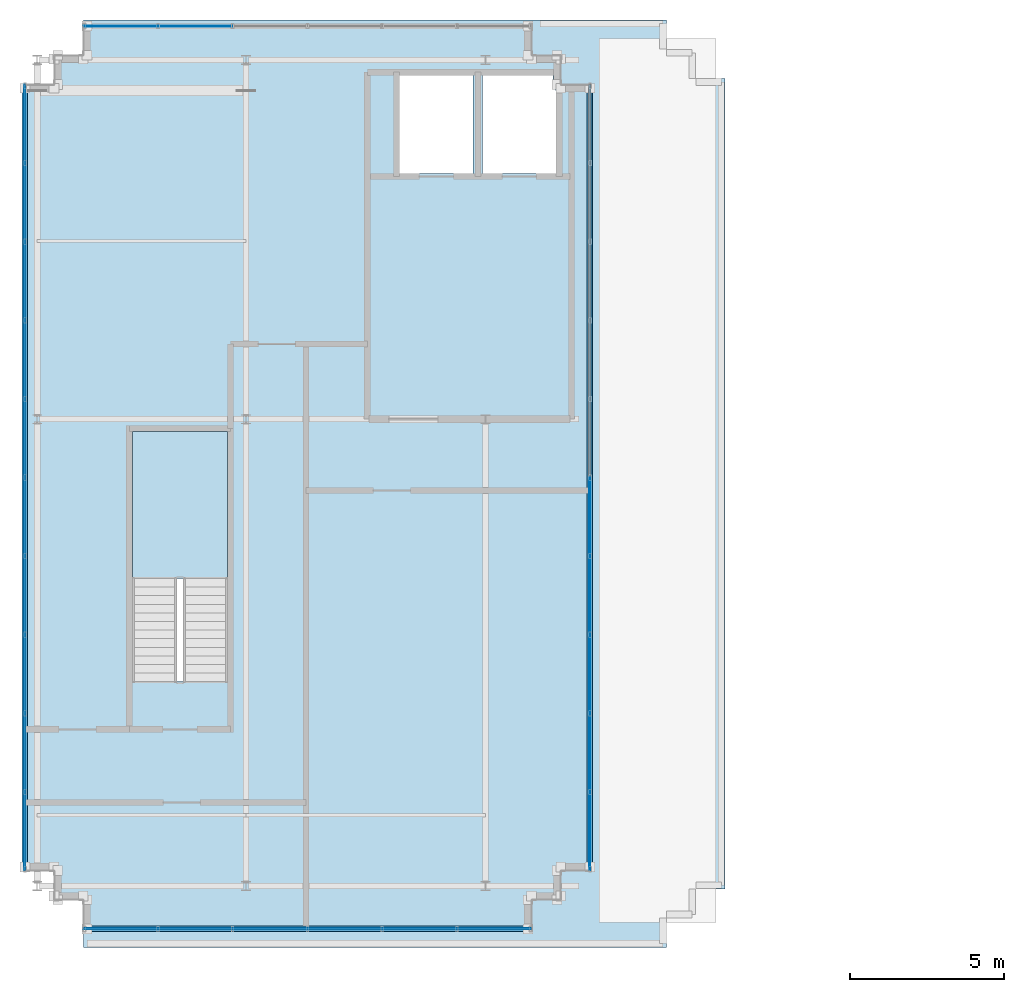
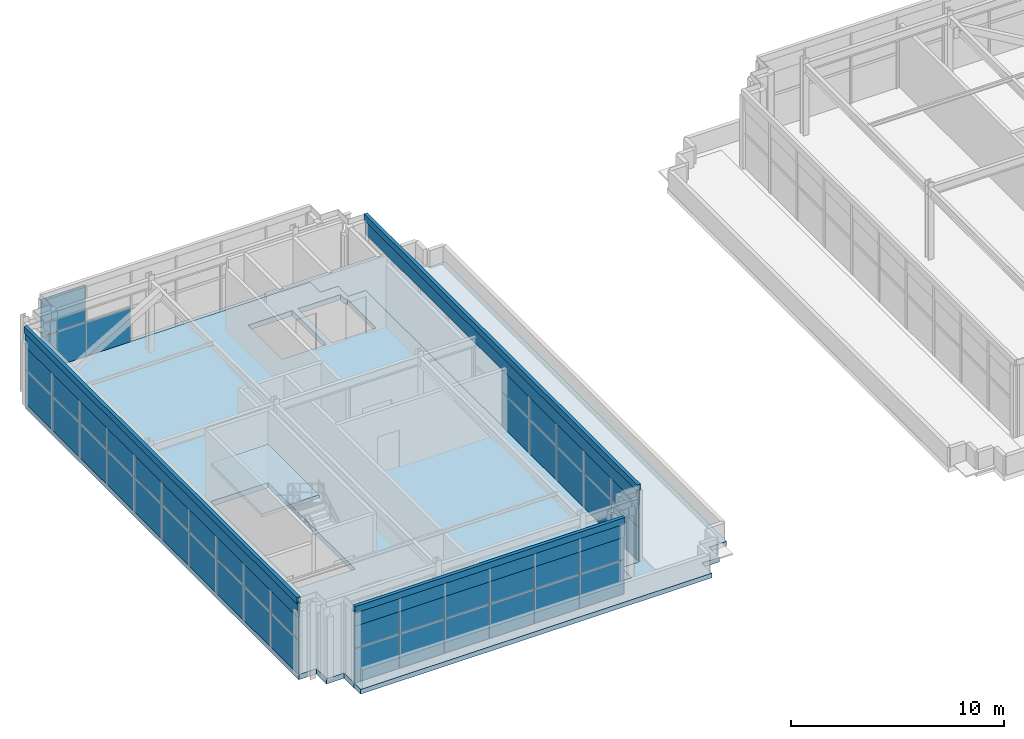
# One storey, part 20 of 28: 51 plates, 3 slabs, 5 elements without a shape of their own.
"""IFC4 building model written with IfcOpenShell, lengths in metres."""

from ifc_helpers import new_model, si_unit, direction, frame, origin, origin_2d, place, context, subcontext, project, spatial, polyline, rectangle, outline, extrude, source, transform, mapped, material, layer, layer_set, type_object, element, aggregate, save


model = new_model("IFC4")

# Units and contexts
model_context = context("Model", 3, precision=1e-05, world=origin(), true_north=direction((0.0, 1.0)))
body_context = subcontext(model_context, "Body", "Model", "MODEL_VIEW")
ifc_project = project(units=[si_unit("LENGTHUNIT", "METRE"), si_unit("AREAUNIT", "SQUARE_METRE"), si_unit("VOLUMEUNIT", "CUBIC_METRE"), si_unit("PLANEANGLEUNIT", "RADIAN"), si_unit("MASSUNIT", "GRAM", prefix="KILO")], contexts=[model_context])

# Site, building, storey
site_placement = place(None, origin())
site = spatial("IfcSite", under=ifc_project, at=site_placement, CompositionType="ELEMENT")
building_placement = place(site_placement, origin())
building = spatial("IfcBuilding", under=site, at=building_placement, Name="Trelvane Seafront Commons", CompositionType="ELEMENT")
storey_placement = place(building_placement, frame((0.0, 0.0, 312.300048828125)))
storey = spatial("IfcBuildingStorey", under=building, at=storey_placement, Name="L81", CompositionType="ELEMENT", Elevation=312.300048828125)

# Stair, slab
ifc_material_1 = material(Name="Concrete C40/50", Category="concrete")
stair_type = type_object("IfcStairType", Name="ARCH-STR-ST-5-R26-169", PredefinedType="HALF_TURN_STAIR", material=ifc_material_1)
stair_placement = place(storey_placement, origin())
stair = element("IfcStair", 1, at=stair_placement, inside=storey, type_object=stair_type, Name="L81 Crown West Peak Enclosed Maintenance Exit Stair ST-5", PredefinedType="HALF_TURN_STAIR")
ifc_layer_1 = layer(ifc_material_1, 0.199951171875, Name="ARCH-LND-200")
ifc_layer_set_1 = layer_set([ifc_layer_1], Name="Concrete C40/50")
slab_type_1 = type_object("IfcSlabType", Name="ARCH-LND-200", PredefinedType="LANDING", material=ifc_layer_set_1)
slab_1_placement = place(storey_placement, frame((0.0, 0.0, 2.0)))
slab_1 = element("IfcSlab", 2, at=slab_1_placement, type_object=slab_type_1, Name="ST-5 landing 1", PredefinedType="LANDING", context=body_context, shape_type="SweptSolid", body=[
    extrude(outline(polyline([(15.0, 28.2099609375), (15.0, 33.0), (11.89990234375, 33.0), (11.89990234375, 28.2099609375), (15.0, 28.2099609375)])), origin(), (0.0, 0.0, 1.0), 0.199951171875),
])
aggregate(stair, [slab_1])

# Slabs
ifc_layer_2 = layer(ifc_material_1, 0.27001953125, Name="STR-ROOF-270")
ifc_layer_set_2 = layer_set([ifc_layer_2], Name="Concrete C40/50")
slab_type_2 = type_object("IfcSlabType", Name="STR-ROOF-270", PredefinedType="ROOF", material=ifc_layer_set_2)
slab_2_placement = place(storey_placement, frame((0.0, 0.0, -0.27001953125)))
element("IfcSlab", 3, at=slab_2_placement, inside=storey, type_object=slab_type_2, Name="L81 Crown Setback Step Roof Slab", PredefinedType="ROOF", context=body_context, shape_type="SweptSolid", body=[
    extrude(outline(polyline([(10.300048828125, 46.199951171875), (24.89990234375, 46.199951171875), (24.89990234375, 45.25), (25.85009765625, 45.25), (25.85009765625, 44.300048828125), (26.800048828125, 44.300048828125), (26.800048828125, 18.699951171875), (25.85009765625, 18.699951171875), (25.85009765625, 17.75), (24.89990234375, 17.75), (24.89990234375, 16.800048828125), (10.300048828125, 16.800048828125), (10.300048828125, 16.199951171875), (29.300048828125, 16.199951171875), (29.300048828125, 17.14990234375), (30.25, 17.14990234375), (30.25, 18.10009765625), (31.199951171875, 18.10009765625), (31.199951171875, 44.5), (30.25, 44.5), (30.25, 45.449951171875), (29.300048828125, 45.449951171875), (29.300048828125, 46.39990234375), (10.300048828125, 46.39990234375), (10.300048828125, 46.199951171875)])), origin(), (0.0, 0.0, 1.0), 0.27001953125),
])
ifc_material_2 = material(Name="Concrete C50/60", Category="concrete")
ifc_layer_3 = layer(ifc_material_2, 0.2900390625, Name="STR-SLB-CRN290")
ifc_layer_set_3 = layer_set([ifc_layer_3], Name="Concrete C50/60")
slab_type_3 = type_object("IfcSlabType", Name="STR-SLB-CRN290", PredefinedType="FLOOR", material=ifc_layer_set_3)
slab_3_placement = place(storey_placement, frame((0.0, 0.0, -0.300048828125)))
element("IfcSlab", 4, at=slab_3_placement, inside=storey, type_object=slab_type_3, Name="L81 West Crown Peak Floor Slab", PredefinedType="FLOOR", context=body_context, shape_type="SweptSolid", body=[
    extrude(outline(polyline([(10.300048828125, 16.800048828125), (24.89990234375, 16.800048828125), (24.89990234375, 17.75), (25.85009765625, 17.75), (25.85009765625, 18.699951171875), (26.800048828125, 18.699951171875), (26.800048828125, 44.300048828125), (25.85009765625, 44.300048828125), (25.85009765625, 45.25), (24.89990234375, 45.25), (24.89990234375, 46.199951171875), (10.300048828125, 46.199951171875), (10.300048828125, 45.25), (9.35009765625, 45.25), (9.35009765625, 44.300048828125), (8.39990234375, 44.300048828125), (8.39990234375, 18.699951171875), (9.35009765625, 18.699951171875), (9.35009765625, 17.75), (10.300048828125, 17.75), (10.300048828125, 16.800048828125)]), holes=[polyline([(15.0, 33.0), (15.0, 24.85009765625), (11.89990234375, 24.85009765625), (11.89990234375, 33.0), (15.0, 33.0)]), polyline([(23.0, 44.60009765625), (23.0, 41.39990234375), (20.60009765625, 41.39990234375), (20.60009765625, 44.60009765625), (23.0, 44.60009765625)]), polyline([(25.60009765625, 44.60009765625), (25.60009765625, 44.300048828125), (25.601318359375, 44.275390625), (25.604736328125, 44.251220703125), (25.61083984375, 44.227294921875), (25.618896484375, 44.204345703125), (25.62939453125, 44.18212890625), (25.64208984375, 44.1611328125), (25.65673828125, 44.141357421875), (25.673095703125, 44.123291015625), (25.69140625, 44.106689453125), (25.699951171875, 44.100341796875), (25.699951171875, 41.39990234375), (23.300048828125, 41.39990234375), (23.300048828125, 44.60009765625), (25.60009765625, 44.60009765625)])]), origin(), (0.0, 0.0, 1.0), 0.300048828125),
])

# Curtain wall, plates
ifc_material_3 = material(Name="Anodised pale-silver aluminium", Category="aluminium")
curtain_wall_type = type_object("IfcCurtainWallType", Name="ARCH-CW6-CROWN", PredefinedType="NOTDEFINED", material=ifc_material_3)
curtain_wall_1_placement = place(storey_placement, origin())
curtain_wall_1 = element("IfcCurtainWall", 5, at=curtain_wall_1_placement, inside=storey, type_object=curtain_wall_type, Name="CW-L81-0144", PredefinedType="NOTDEFINED")
ifc_material_4 = material(Name="Low-E coastal double glazing", Category="glass")
ifc_layer_4 = layer(ifc_material_4, 0.033935546875, Name="ARCH-CW-GLAZ-34")
ifc_layer_set_4 = layer_set([ifc_layer_4], Name="Low-E coastal double glazing")
plate_type_1 = type_object("IfcPlateType", Name="ARCH-CW-GLAZ-34", PredefinedType="CURTAIN_PANEL", material=ifc_layer_set_4)
shared_shape_1 = source(origin(), body_context, "Body", "SweptSolid", [
    extrude(rectangle(XDim=2.535888671875, YDim=0.031982421875, at=origin_2d()), origin(), (0.0, 0.0, 1.0), 1.955078125),
])
plate_1_placement = place(storey_placement, frame((8.39990234375, 19.97998046875, 0.0), z_axis=(0.0, 0.0, 1.0), x_axis=(0.0, 1.0, 0.0)))
plate_1 = element("IfcPlate", 6, at=plate_1_placement, type_object=plate_type_1, Name="CW-L81-0144-P00-1", PredefinedType="CURTAIN_PANEL", context=body_context, shape_type="MappedRepresentation", body=[
    mapped(shared_shape_1, transform((0.0, 0.0, 0.0), x_axis=(1.0, 0.0, 0.0), y_axis=(0.0, 1.0, 0.0), z_axis=(0.0, 0.0, 1.0), scale=1.0)),
])
plate_2_placement = place(storey_placement, frame((8.39990234375, 22.5400390625, 0.0), z_axis=(0.0, 0.0, 1.0), x_axis=(0.0, 1.0, 0.0)))
plate_2 = element("IfcPlate", 7, at=plate_2_placement, type_object=plate_type_1, Name="CW-L81-0144-P01-1", PredefinedType="CURTAIN_PANEL", context=body_context, shape_type="MappedRepresentation", body=[
    mapped(shared_shape_1, transform((0.0, 0.0, 0.0), x_axis=(1.0, 0.0, 0.0), y_axis=(0.0, 1.0, 0.0), z_axis=(0.0, 0.0, 1.0), scale=1.0)),
])
plate_3_placement = place(storey_placement, frame((8.39990234375, 25.10009765625, 0.0), z_axis=(0.0, 0.0, 1.0), x_axis=(0.0, 1.0, 0.0)))
plate_3 = element("IfcPlate", 8, at=plate_3_placement, type_object=plate_type_1, Name="CW-L81-0144-P02-1", PredefinedType="CURTAIN_PANEL", context=body_context, shape_type="MappedRepresentation", body=[
    mapped(shared_shape_1, transform((0.0, 0.0, 0.0), x_axis=(1.0, 0.0, 0.0), y_axis=(0.0, 1.0, 0.0), z_axis=(0.0, 0.0, 1.0), scale=1.0)),
])
plate_4_placement = place(storey_placement, frame((8.39990234375, 27.659912109375, 0.0), z_axis=(0.0, 0.0, 1.0), x_axis=(0.0, 1.0, 0.0)))
plate_4 = element("IfcPlate", 9, at=plate_4_placement, type_object=plate_type_1, Name="CW-L81-0144-P03-1", PredefinedType="CURTAIN_PANEL", context=body_context, shape_type="MappedRepresentation", body=[
    mapped(shared_shape_1, transform((0.0, 0.0, 0.0), x_axis=(1.0, 0.0, 0.0), y_axis=(0.0, 1.0, 0.0), z_axis=(0.0, 0.0, 1.0), scale=1.0)),
])
plate_5_placement = place(storey_placement, frame((8.39990234375, 30.219970703125, 0.0), z_axis=(0.0, 0.0, 1.0), x_axis=(0.0, 1.0, 0.0)))
plate_5 = element("IfcPlate", 10, at=plate_5_placement, type_object=plate_type_1, Name="CW-L81-0144-P04-1", PredefinedType="CURTAIN_PANEL", context=body_context, shape_type="MappedRepresentation", body=[
    mapped(shared_shape_1, transform((0.0, 0.0, 0.0), x_axis=(1.0, 0.0, 0.0), y_axis=(0.0, 1.0, 0.0), z_axis=(0.0, 0.0, 1.0), scale=1.0)),
])
plate_6_placement = place(storey_placement, frame((8.39990234375, 32.780029296875, 0.0), z_axis=(0.0, 0.0, 1.0), x_axis=(0.0, 1.0, 0.0)))
plate_6 = element("IfcPlate", 11, at=plate_6_placement, type_object=plate_type_1, Name="CW-L81-0144-P05-1", PredefinedType="CURTAIN_PANEL", context=body_context, shape_type="MappedRepresentation", body=[
    mapped(shared_shape_1, transform((0.0, 0.0, 0.0), x_axis=(1.0, 0.0, 0.0), y_axis=(0.0, 1.0, 0.0), z_axis=(0.0, 0.0, 1.0), scale=1.0)),
])
plate_7_placement = place(storey_placement, frame((8.39990234375, 35.340087890625, 0.0), z_axis=(0.0, 0.0, 1.0), x_axis=(0.0, 1.0, 0.0)))
plate_7 = element("IfcPlate", 12, at=plate_7_placement, type_object=plate_type_1, Name="CW-L81-0144-P06-1", PredefinedType="CURTAIN_PANEL", context=body_context, shape_type="MappedRepresentation", body=[
    mapped(shared_shape_1, transform((0.0, 0.0, 0.0), x_axis=(1.0, 0.0, 0.0), y_axis=(0.0, 1.0, 0.0), z_axis=(0.0, 0.0, 1.0), scale=1.0)),
])
plate_8_placement = place(storey_placement, frame((8.39990234375, 37.89990234375, 0.0), z_axis=(0.0, 0.0, 1.0), x_axis=(0.0, 1.0, 0.0)))
plate_8 = element("IfcPlate", 13, at=plate_8_placement, type_object=plate_type_1, Name="CW-L81-0144-P07-1", PredefinedType="CURTAIN_PANEL", context=body_context, shape_type="MappedRepresentation", body=[
    mapped(shared_shape_1, transform((0.0, 0.0, 0.0), x_axis=(1.0, 0.0, 0.0), y_axis=(0.0, 1.0, 0.0), z_axis=(0.0, 0.0, 1.0), scale=1.0)),
])
plate_9_placement = place(storey_placement, frame((8.39990234375, 40.4599609375, 0.0), z_axis=(0.0, 0.0, 1.0), x_axis=(0.0, 1.0, 0.0)))
plate_9 = element("IfcPlate", 14, at=plate_9_placement, type_object=plate_type_1, Name="CW-L81-0144-P08-1", PredefinedType="CURTAIN_PANEL", context=body_context, shape_type="MappedRepresentation", body=[
    mapped(shared_shape_1, transform((0.0, 0.0, 0.0), x_axis=(1.0, 0.0, 0.0), y_axis=(0.0, 1.0, 0.0), z_axis=(0.0, 0.0, 1.0), scale=1.0)),
])
plate_10_placement = place(storey_placement, frame((8.39990234375, 43.02001953125, 0.0), z_axis=(0.0, 0.0, 1.0), x_axis=(0.0, 1.0, 0.0)))
plate_10 = element("IfcPlate", 15, at=plate_10_placement, type_object=plate_type_1, Name="CW-L81-0144-P09-1", PredefinedType="CURTAIN_PANEL", context=body_context, shape_type="MappedRepresentation", body=[
    mapped(shared_shape_1, transform((0.0, 0.0, 0.0), x_axis=(1.0, 0.0, 0.0), y_axis=(0.0, 1.0, 0.0), z_axis=(0.0, 0.0, 1.0), scale=1.0)),
])

curtain_wall_2_placement = place(storey_placement, origin())
curtain_wall_2 = element("IfcCurtainWall", 16, at=curtain_wall_2_placement, inside=storey, type_object=curtain_wall_type, Name="CW-L81-0146", PredefinedType="NOTDEFINED")
plate_11_placement = place(storey_placement, frame((26.800048828125, 30.219970703125, 0.0), z_axis=(0.0, 0.0, 1.0), x_axis=(0.0, -1.0, 0.0)))
plate_11 = element("IfcPlate", 17, at=plate_11_placement, type_object=plate_type_1, Name="CW-L81-0146-P05-1", PredefinedType="CURTAIN_PANEL", context=body_context, shape_type="MappedRepresentation", body=[
    mapped(shared_shape_1, transform((0.0, 0.0, 0.0), x_axis=(1.0, 0.0, 0.0), y_axis=(0.0, 1.0, 0.0), z_axis=(0.0, 0.0, 1.0), scale=1.0)),
])
plate_12_placement = place(storey_placement, frame((26.800048828125, 27.659912109375, 0.0), z_axis=(0.0, 0.0, 1.0), x_axis=(0.0, -1.0, 0.0)))
plate_12 = element("IfcPlate", 18, at=plate_12_placement, type_object=plate_type_1, Name="CW-L81-0146-P06-1", PredefinedType="CURTAIN_PANEL", context=body_context, shape_type="MappedRepresentation", body=[
    mapped(shared_shape_1, transform((0.0, 0.0, 0.0), x_axis=(1.0, 0.0, 0.0), y_axis=(0.0, 1.0, 0.0), z_axis=(0.0, 0.0, 1.0), scale=1.0)),
])
plate_13_placement = place(storey_placement, frame((26.800048828125, 25.10009765625, 0.0), z_axis=(0.0, 0.0, 1.0), x_axis=(0.0, -1.0, 0.0)))
plate_13 = element("IfcPlate", 19, at=plate_13_placement, type_object=plate_type_1, Name="CW-L81-0146-P07-1", PredefinedType="CURTAIN_PANEL", context=body_context, shape_type="MappedRepresentation", body=[
    mapped(shared_shape_1, transform((0.0, 0.0, 0.0), x_axis=(1.0, 0.0, 0.0), y_axis=(0.0, 1.0, 0.0), z_axis=(0.0, 0.0, 1.0), scale=1.0)),
])
plate_14_placement = place(storey_placement, frame((26.800048828125, 22.5400390625, 0.0), z_axis=(0.0, 0.0, 1.0), x_axis=(0.0, -1.0, 0.0)))
plate_14 = element("IfcPlate", 20, at=plate_14_placement, type_object=plate_type_1, Name="CW-L81-0146-P08-1", PredefinedType="CURTAIN_PANEL", context=body_context, shape_type="MappedRepresentation", body=[
    mapped(shared_shape_1, transform((0.0, 0.0, 0.0), x_axis=(1.0, 0.0, 0.0), y_axis=(0.0, 1.0, 0.0), z_axis=(0.0, 0.0, 1.0), scale=1.0)),
])
plate_15_placement = place(storey_placement, frame((26.800048828125, 19.97998046875, 0.0), z_axis=(0.0, 0.0, 1.0), x_axis=(0.0, -1.0, 0.0)))
plate_15 = element("IfcPlate", 21, at=plate_15_placement, type_object=plate_type_1, Name="CW-L81-0146-P09-1", PredefinedType="CURTAIN_PANEL", context=body_context, shape_type="MappedRepresentation", body=[
    mapped(shared_shape_1, transform((0.0, 0.0, 0.0), x_axis=(1.0, 0.0, 0.0), y_axis=(0.0, 1.0, 0.0), z_axis=(0.0, 0.0, 1.0), scale=1.0)),
])

# Plate
shared_shape_2 = source(origin(), body_context, "Body", "SweptSolid", [
    extrude(rectangle(XDim=2.535888671875, YDim=0.031982421875, at=origin_2d()), origin(), (0.0, 0.0, 1.0), 2.118896484375),
])
plate_16_placement = place(storey_placement, frame((8.39990234375, 19.97998046875, 1.9912109375), z_axis=(0.0, 0.0, 1.0), x_axis=(0.0, 1.0, 0.0)))
plate_16 = element("IfcPlate", 22, at=plate_16_placement, type_object=plate_type_1, Name="CW-L81-0144-P00-2", PredefinedType="CURTAIN_PANEL", context=body_context, shape_type="MappedRepresentation", body=[
    mapped(shared_shape_2, transform((0.0, 0.0, 0.0), x_axis=(1.0, 0.0, 0.0), y_axis=(0.0, 1.0, 0.0), z_axis=(0.0, 0.0, 1.0), scale=1.0)),
])

plate_17_placement = place(storey_placement, frame((8.39990234375, 22.5400390625, 1.9912109375), z_axis=(0.0, 0.0, 1.0), x_axis=(0.0, 1.0, 0.0)))
plate_17 = element("IfcPlate", 23, at=plate_17_placement, type_object=plate_type_1, Name="CW-L81-0144-P01-2", PredefinedType="CURTAIN_PANEL", context=body_context, shape_type="MappedRepresentation", body=[
    mapped(shared_shape_2, transform((0.0, 0.0, 0.0), x_axis=(1.0, 0.0, 0.0), y_axis=(0.0, 1.0, 0.0), z_axis=(0.0, 0.0, 1.0), scale=1.0)),
])

plate_18_placement = place(storey_placement, frame((8.39990234375, 25.10009765625, 1.9912109375), z_axis=(0.0, 0.0, 1.0), x_axis=(0.0, 1.0, 0.0)))
plate_18 = element("IfcPlate", 24, at=plate_18_placement, type_object=plate_type_1, Name="CW-L81-0144-P02-2", PredefinedType="CURTAIN_PANEL", context=body_context, shape_type="MappedRepresentation", body=[
    mapped(shared_shape_2, transform((0.0, 0.0, 0.0), x_axis=(1.0, 0.0, 0.0), y_axis=(0.0, 1.0, 0.0), z_axis=(0.0, 0.0, 1.0), scale=1.0)),
])

plate_19_placement = place(storey_placement, frame((8.39990234375, 27.659912109375, 1.9912109375), z_axis=(0.0, 0.0, 1.0), x_axis=(0.0, 1.0, 0.0)))
plate_19 = element("IfcPlate", 25, at=plate_19_placement, type_object=plate_type_1, Name="CW-L81-0144-P03-2", PredefinedType="CURTAIN_PANEL", context=body_context, shape_type="MappedRepresentation", body=[
    mapped(shared_shape_2, transform((0.0, 0.0, 0.0), x_axis=(1.0, 0.0, 0.0), y_axis=(0.0, 1.0, 0.0), z_axis=(0.0, 0.0, 1.0), scale=1.0)),
])

plate_20_placement = place(storey_placement, frame((8.39990234375, 30.219970703125, 1.9912109375), z_axis=(0.0, 0.0, 1.0), x_axis=(0.0, 1.0, 0.0)))
plate_20 = element("IfcPlate", 26, at=plate_20_placement, type_object=plate_type_1, Name="CW-L81-0144-P04-2", PredefinedType="CURTAIN_PANEL", context=body_context, shape_type="MappedRepresentation", body=[
    mapped(shared_shape_2, transform((0.0, 0.0, 0.0), x_axis=(1.0, 0.0, 0.0), y_axis=(0.0, 1.0, 0.0), z_axis=(0.0, 0.0, 1.0), scale=1.0)),
])

plate_21_placement = place(storey_placement, frame((8.39990234375, 32.780029296875, 1.9912109375), z_axis=(0.0, 0.0, 1.0), x_axis=(0.0, 1.0, 0.0)))
plate_21 = element("IfcPlate", 27, at=plate_21_placement, type_object=plate_type_1, Name="CW-L81-0144-P05-2", PredefinedType="CURTAIN_PANEL", context=body_context, shape_type="MappedRepresentation", body=[
    mapped(shared_shape_2, transform((0.0, 0.0, 0.0), x_axis=(1.0, 0.0, 0.0), y_axis=(0.0, 1.0, 0.0), z_axis=(0.0, 0.0, 1.0), scale=1.0)),
])

plate_22_placement = place(storey_placement, frame((8.39990234375, 35.340087890625, 1.9912109375), z_axis=(0.0, 0.0, 1.0), x_axis=(0.0, 1.0, 0.0)))
plate_22 = element("IfcPlate", 28, at=plate_22_placement, type_object=plate_type_1, Name="CW-L81-0144-P06-2", PredefinedType="CURTAIN_PANEL", context=body_context, shape_type="MappedRepresentation", body=[
    mapped(shared_shape_2, transform((0.0, 0.0, 0.0), x_axis=(1.0, 0.0, 0.0), y_axis=(0.0, 1.0, 0.0), z_axis=(0.0, 0.0, 1.0), scale=1.0)),
])

plate_23_placement = place(storey_placement, frame((8.39990234375, 37.89990234375, 1.9912109375), z_axis=(0.0, 0.0, 1.0), x_axis=(0.0, 1.0, 0.0)))
plate_23 = element("IfcPlate", 29, at=plate_23_placement, type_object=plate_type_1, Name="CW-L81-0144-P07-2", PredefinedType="CURTAIN_PANEL", context=body_context, shape_type="MappedRepresentation", body=[
    mapped(shared_shape_2, transform((0.0, 0.0, 0.0), x_axis=(1.0, 0.0, 0.0), y_axis=(0.0, 1.0, 0.0), z_axis=(0.0, 0.0, 1.0), scale=1.0)),
])

plate_24_placement = place(storey_placement, frame((8.39990234375, 40.4599609375, 1.9912109375), z_axis=(0.0, 0.0, 1.0), x_axis=(0.0, 1.0, 0.0)))
plate_24 = element("IfcPlate", 30, at=plate_24_placement, type_object=plate_type_1, Name="CW-L81-0144-P08-2", PredefinedType="CURTAIN_PANEL", context=body_context, shape_type="MappedRepresentation", body=[
    mapped(shared_shape_2, transform((0.0, 0.0, 0.0), x_axis=(1.0, 0.0, 0.0), y_axis=(0.0, 1.0, 0.0), z_axis=(0.0, 0.0, 1.0), scale=1.0)),
])

plate_25_placement = place(storey_placement, frame((8.39990234375, 43.02001953125, 1.9912109375), z_axis=(0.0, 0.0, 1.0), x_axis=(0.0, 1.0, 0.0)))
plate_25 = element("IfcPlate", 31, at=plate_25_placement, type_object=plate_type_1, Name="CW-L81-0144-P09-2", PredefinedType="CURTAIN_PANEL", context=body_context, shape_type="MappedRepresentation", body=[
    mapped(shared_shape_2, transform((0.0, 0.0, 0.0), x_axis=(1.0, 0.0, 0.0), y_axis=(0.0, 1.0, 0.0), z_axis=(0.0, 0.0, 1.0), scale=1.0)),
])

aggregate(curtain_wall_1, [plate_1, plate_16, plate_2, plate_17, plate_3, plate_18, plate_4, plate_19, plate_5, plate_20, plate_6, plate_21, plate_7, plate_22, plate_8, plate_23, plate_9, plate_24, plate_10, plate_25])

plate_26_placement = place(storey_placement, frame((26.800048828125, 30.219970703125, 1.9912109375), z_axis=(0.0, 0.0, 1.0), x_axis=(0.0, -1.0, 0.0)))
plate_26 = element("IfcPlate", 32, at=plate_26_placement, type_object=plate_type_1, Name="CW-L81-0146-P05-2", PredefinedType="CURTAIN_PANEL", context=body_context, shape_type="MappedRepresentation", body=[
    mapped(shared_shape_2, transform((0.0, 0.0, 0.0), x_axis=(1.0, 0.0, 0.0), y_axis=(0.0, 1.0, 0.0), z_axis=(0.0, 0.0, 1.0), scale=1.0)),
])

plate_27_placement = place(storey_placement, frame((26.800048828125, 27.659912109375, 1.9912109375), z_axis=(0.0, 0.0, 1.0), x_axis=(0.0, -1.0, 0.0)))
plate_27 = element("IfcPlate", 33, at=plate_27_placement, type_object=plate_type_1, Name="CW-L81-0146-P06-2", PredefinedType="CURTAIN_PANEL", context=body_context, shape_type="MappedRepresentation", body=[
    mapped(shared_shape_2, transform((0.0, 0.0, 0.0), x_axis=(1.0, 0.0, 0.0), y_axis=(0.0, 1.0, 0.0), z_axis=(0.0, 0.0, 1.0), scale=1.0)),
])

plate_28_placement = place(storey_placement, frame((26.800048828125, 25.10009765625, 1.9912109375), z_axis=(0.0, 0.0, 1.0), x_axis=(0.0, -1.0, 0.0)))
plate_28 = element("IfcPlate", 34, at=plate_28_placement, type_object=plate_type_1, Name="CW-L81-0146-P07-2", PredefinedType="CURTAIN_PANEL", context=body_context, shape_type="MappedRepresentation", body=[
    mapped(shared_shape_2, transform((0.0, 0.0, 0.0), x_axis=(1.0, 0.0, 0.0), y_axis=(0.0, 1.0, 0.0), z_axis=(0.0, 0.0, 1.0), scale=1.0)),
])

plate_29_placement = place(storey_placement, frame((26.800048828125, 22.5400390625, 1.9912109375), z_axis=(0.0, 0.0, 1.0), x_axis=(0.0, -1.0, 0.0)))
plate_29 = element("IfcPlate", 35, at=plate_29_placement, type_object=plate_type_1, Name="CW-L81-0146-P08-2", PredefinedType="CURTAIN_PANEL", context=body_context, shape_type="MappedRepresentation", body=[
    mapped(shared_shape_2, transform((0.0, 0.0, 0.0), x_axis=(1.0, 0.0, 0.0), y_axis=(0.0, 1.0, 0.0), z_axis=(0.0, 0.0, 1.0), scale=1.0)),
])

plate_30_placement = place(storey_placement, frame((26.800048828125, 19.97998046875, 1.9912109375), z_axis=(0.0, 0.0, 1.0), x_axis=(0.0, -1.0, 0.0)))
plate_30 = element("IfcPlate", 36, at=plate_30_placement, type_object=plate_type_1, Name="CW-L81-0146-P09-2", PredefinedType="CURTAIN_PANEL", context=body_context, shape_type="MappedRepresentation", body=[
    mapped(shared_shape_2, transform((0.0, 0.0, 0.0), x_axis=(1.0, 0.0, 0.0), y_axis=(0.0, 1.0, 0.0), z_axis=(0.0, 0.0, 1.0), scale=1.0)),
])

aggregate(curtain_wall_2, [plate_11, plate_26, plate_12, plate_27, plate_13, plate_28, plate_14, plate_29, plate_15, plate_30])

# Plates
ifc_layer_5 = layer(ifc_material_3, 0.080078125, Name="ARCH-PLATE-LOUVRE")
ifc_layer_set_5 = layer_set([ifc_layer_5], Name="Anodised pale-silver aluminium")
plate_type_2 = type_object("IfcPlateType", Name="ARCH-PLATE-LOUVRE", PredefinedType="USERDEFINED", material=ifc_layer_set_5)
shared_shape_3 = source(origin(), body_context, "Body", "SweptSolid", [
    extrude(rectangle(XDim=25.60009765625, YDim=0.080078125, at=origin_2d()), origin(), (0.0, 0.0, 1.0), 0.889892578125),
])
for number, where, z_axis, x_axis, name in (
    (37, (8.39990234375, 31.5, 3.259765625), (0.0, 0.0, 1.0), (0.0, 1.0, 0.0), "LOU-L81-033"),
    (38, (26.800048828125, 31.5, 3.259765625), (0.0, 0.0, 1.0), (0.0, -1.0, 0.0), "LOU-L81-035"),
):
    element("IfcPlate", number, at=place(storey_placement, frame(where, z_axis=z_axis, x_axis=x_axis)), inside=storey, type_object=plate_type_2, Name=name, ObjectType="LOUVRE", PredefinedType="USERDEFINED", context=body_context, shape_type="MappedRepresentation", body=[
        mapped(shared_shape_3, transform((0.0, 0.0, 0.0), x_axis=(1.0, 0.0, 0.0), y_axis=(0.0, 1.0, 0.0), z_axis=(0.0, 0.0, 1.0), scale=1.0)),
    ])
ifc_layer_6 = layer(ifc_material_3, 0.179931640625, Name="ARCH-PLATE-AERO")
ifc_layer_set_6 = layer_set([ifc_layer_6], Name="Anodised pale-silver aluminium")
plate_type_3 = type_object("IfcPlateType", Name="ARCH-PLATE-AERO", PredefinedType="SHEET", material=ifc_layer_set_6)
shared_shape_4 = source(origin(), body_context, "Body", "SweptSolid", [
    extrude(rectangle(XDim=25.60009765625, YDim=0.179931640625, at=origin_2d()), origin(), (0.0, 0.0, 1.0), 0.3701171875),
])
for number, where, z_axis, x_axis, name in (
    (39, (8.39990234375, 31.5, 4.0498046875), (0.0, 0.0, 1.0), (0.0, 1.0, 0.0), "AER-L81-00290"),
    (40, (26.800048828125, 31.5, 4.0498046875), (0.0, 0.0, 1.0), (0.0, -1.0, 0.0), "AER-L81-00292"),
):
    element("IfcPlate", number, at=place(storey_placement, frame(where, z_axis=z_axis, x_axis=x_axis)), inside=storey, type_object=plate_type_3, Name=name, PredefinedType="SHEET", context=body_context, shape_type="MappedRepresentation", body=[
        mapped(shared_shape_4, transform((0.0, 0.0, 0.0), x_axis=(1.0, 0.0, 0.0), y_axis=(0.0, 1.0, 0.0), z_axis=(0.0, 0.0, 1.0), scale=1.0)),
    ])

# Curtain wall, plate
curtain_wall_3_placement = place(storey_placement, origin())
curtain_wall_3 = element("IfcCurtainWall", 41, at=curtain_wall_3_placement, inside=storey, type_object=curtain_wall_type, Name="CW-L81-0145", PredefinedType="NOTDEFINED")
shared_shape_5 = source(origin(), body_context, "Body", "SweptSolid", [
    extrude(rectangle(XDim=2.4091796875, YDim=0.031982421875, at=origin_2d()), origin(), (0.0, 0.0, 1.0), 1.955078125),
])
plate_31_placement = place(storey_placement, frame((11.5166015625, 46.199951171875, 0.0), z_axis=(0.0, 0.0, 1.0), x_axis=(1.0, 0.0, 0.0)))
plate_31 = element("IfcPlate", 42, at=plate_31_placement, type_object=plate_type_1, Name="CW-L81-0145-P00-1", PredefinedType="CURTAIN_PANEL", context=body_context, shape_type="MappedRepresentation", body=[
    mapped(shared_shape_5, transform((0.0, 0.0, 0.0), x_axis=(1.0, 0.0, 0.0), y_axis=(0.0, 1.0, 0.0), z_axis=(0.0, 0.0, 1.0), scale=1.0)),
])

# Curtain wall, plates
curtain_wall_4_placement = place(storey_placement, origin())
curtain_wall_4 = element("IfcCurtainWall", 43, at=curtain_wall_4_placement, inside=storey, type_object=curtain_wall_type, Name="CW-L81-0147", PredefinedType="NOTDEFINED")
plate_32_placement = place(storey_placement, frame((23.683349609375, 16.800048828125, 0.0), z_axis=(0.0, 0.0, 1.0), x_axis=(-1.0, 0.0, 0.0)))
plate_32 = element("IfcPlate", 44, at=plate_32_placement, type_object=plate_type_1, Name="CW-L81-0147-P00-1", PredefinedType="CURTAIN_PANEL", context=body_context, shape_type="MappedRepresentation", body=[
    mapped(shared_shape_5, transform((0.0, 0.0, 0.0), x_axis=(1.0, 0.0, 0.0), y_axis=(0.0, 1.0, 0.0), z_axis=(0.0, 0.0, 1.0), scale=1.0)),
])
plate_33_placement = place(storey_placement, frame((18.816650390625, 16.800048828125, 0.0), z_axis=(0.0, 0.0, 1.0), x_axis=(-1.0, 0.0, 0.0)))
plate_33 = element("IfcPlate", 45, at=plate_33_placement, type_object=plate_type_1, Name="CW-L81-0147-P02-1", PredefinedType="CURTAIN_PANEL", context=body_context, shape_type="MappedRepresentation", body=[
    mapped(shared_shape_5, transform((0.0, 0.0, 0.0), x_axis=(1.0, 0.0, 0.0), y_axis=(0.0, 1.0, 0.0), z_axis=(0.0, 0.0, 1.0), scale=1.0)),
])
plate_34_placement = place(storey_placement, frame((16.38330078125, 16.800048828125, 0.0), z_axis=(0.0, 0.0, 1.0), x_axis=(-1.0, 0.0, 0.0)))
plate_34 = element("IfcPlate", 46, at=plate_34_placement, type_object=plate_type_1, Name="CW-L81-0147-P03-1", PredefinedType="CURTAIN_PANEL", context=body_context, shape_type="MappedRepresentation", body=[
    mapped(shared_shape_5, transform((0.0, 0.0, 0.0), x_axis=(1.0, 0.0, 0.0), y_axis=(0.0, 1.0, 0.0), z_axis=(0.0, 0.0, 1.0), scale=1.0)),
])
plate_35_placement = place(storey_placement, frame((11.5166015625, 16.800048828125, 0.0), z_axis=(0.0, 0.0, 1.0), x_axis=(-1.0, 0.0, 0.0)))
plate_35 = element("IfcPlate", 47, at=plate_35_placement, type_object=plate_type_1, Name="CW-L81-0147-P05-1", PredefinedType="CURTAIN_PANEL", context=body_context, shape_type="MappedRepresentation", body=[
    mapped(shared_shape_5, transform((0.0, 0.0, 0.0), x_axis=(1.0, 0.0, 0.0), y_axis=(0.0, 1.0, 0.0), z_axis=(0.0, 0.0, 1.0), scale=1.0)),
])

# Plate
shared_shape_6 = source(origin(), body_context, "Body", "SweptSolid", [
    extrude(rectangle(XDim=2.4091796875, YDim=0.031982421875, at=origin_2d()), origin(), (0.0, 0.0, 1.0), 2.118896484375),
])
plate_36_placement = place(storey_placement, frame((11.5166015625, 46.199951171875, 1.9912109375), z_axis=(0.0, 0.0, 1.0), x_axis=(1.0, 0.0, 0.0)))
plate_36 = element("IfcPlate", 48, at=plate_36_placement, type_object=plate_type_1, Name="CW-L81-0145-P00-2", PredefinedType="CURTAIN_PANEL", context=body_context, shape_type="MappedRepresentation", body=[
    mapped(shared_shape_6, transform((0.0, 0.0, 0.0), x_axis=(1.0, 0.0, 0.0), y_axis=(0.0, 1.0, 0.0), z_axis=(0.0, 0.0, 1.0), scale=1.0)),
])

plate_37_placement = place(storey_placement, frame((23.683349609375, 16.800048828125, 1.9912109375), z_axis=(0.0, 0.0, 1.0), x_axis=(-1.0, 0.0, 0.0)))
plate_37 = element("IfcPlate", 49, at=plate_37_placement, type_object=plate_type_1, Name="CW-L81-0147-P00-2", PredefinedType="CURTAIN_PANEL", context=body_context, shape_type="MappedRepresentation", body=[
    mapped(shared_shape_6, transform((0.0, 0.0, 0.0), x_axis=(1.0, 0.0, 0.0), y_axis=(0.0, 1.0, 0.0), z_axis=(0.0, 0.0, 1.0), scale=1.0)),
])

plate_38_placement = place(storey_placement, frame((18.816650390625, 16.800048828125, 1.9912109375), z_axis=(0.0, 0.0, 1.0), x_axis=(-1.0, 0.0, 0.0)))
plate_38 = element("IfcPlate", 50, at=plate_38_placement, type_object=plate_type_1, Name="CW-L81-0147-P02-2", PredefinedType="CURTAIN_PANEL", context=body_context, shape_type="MappedRepresentation", body=[
    mapped(shared_shape_6, transform((0.0, 0.0, 0.0), x_axis=(1.0, 0.0, 0.0), y_axis=(0.0, 1.0, 0.0), z_axis=(0.0, 0.0, 1.0), scale=1.0)),
])

plate_39_placement = place(storey_placement, frame((16.38330078125, 16.800048828125, 1.9912109375), z_axis=(0.0, 0.0, 1.0), x_axis=(-1.0, 0.0, 0.0)))
plate_39 = element("IfcPlate", 51, at=plate_39_placement, type_object=plate_type_1, Name="CW-L81-0147-P03-2", PredefinedType="CURTAIN_PANEL", context=body_context, shape_type="MappedRepresentation", body=[
    mapped(shared_shape_6, transform((0.0, 0.0, 0.0), x_axis=(1.0, 0.0, 0.0), y_axis=(0.0, 1.0, 0.0), z_axis=(0.0, 0.0, 1.0), scale=1.0)),
])

plate_40_placement = place(storey_placement, frame((11.5166015625, 16.800048828125, 1.9912109375), z_axis=(0.0, 0.0, 1.0), x_axis=(-1.0, 0.0, 0.0)))
plate_40 = element("IfcPlate", 52, at=plate_40_placement, type_object=plate_type_1, Name="CW-L81-0147-P05-2", PredefinedType="CURTAIN_PANEL", context=body_context, shape_type="MappedRepresentation", body=[
    mapped(shared_shape_6, transform((0.0, 0.0, 0.0), x_axis=(1.0, 0.0, 0.0), y_axis=(0.0, 1.0, 0.0), z_axis=(0.0, 0.0, 1.0), scale=1.0)),
])

shared_shape_7 = source(origin(), body_context, "Body", "SweptSolid", [
    extrude(rectangle(XDim=2.409423828125, YDim=0.031982421875, at=origin_2d()), origin(), (0.0, 0.0, 1.0), 1.955078125),
])
plate_41_placement = place(storey_placement, frame((13.949951171875, 46.199951171875, 0.0), z_axis=(0.0, 0.0, 1.0), x_axis=(1.0, 0.0, 0.0)))
plate_41 = element("IfcPlate", 53, at=plate_41_placement, type_object=plate_type_1, Name="CW-L81-0145-P01-1", PredefinedType="CURTAIN_PANEL", context=body_context, shape_type="MappedRepresentation", body=[
    mapped(shared_shape_7, transform((0.0, 0.0, 0.0), x_axis=(1.0, 0.0, 0.0), y_axis=(0.0, 1.0, 0.0), z_axis=(0.0, 0.0, 1.0), scale=1.0)),
])

aggregate(curtain_wall_3, [plate_31, plate_36, plate_41])

plate_42_placement = place(storey_placement, frame((21.25, 16.800048828125, 0.0), z_axis=(0.0, 0.0, 1.0), x_axis=(-1.0, 0.0, 0.0)))
plate_42 = element("IfcPlate", 54, at=plate_42_placement, type_object=plate_type_1, Name="CW-L81-0147-P01-1", PredefinedType="CURTAIN_PANEL", context=body_context, shape_type="MappedRepresentation", body=[
    mapped(shared_shape_7, transform((0.0, 0.0, 0.0), x_axis=(1.0, 0.0, 0.0), y_axis=(0.0, 1.0, 0.0), z_axis=(0.0, 0.0, 1.0), scale=1.0)),
])

plate_43_placement = place(storey_placement, frame((13.949951171875, 16.800048828125, 0.0), z_axis=(0.0, 0.0, 1.0), x_axis=(-1.0, 0.0, 0.0)))
plate_43 = element("IfcPlate", 55, at=plate_43_placement, type_object=plate_type_1, Name="CW-L81-0147-P04-1", PredefinedType="CURTAIN_PANEL", context=body_context, shape_type="MappedRepresentation", body=[
    mapped(shared_shape_7, transform((0.0, 0.0, 0.0), x_axis=(1.0, 0.0, 0.0), y_axis=(0.0, 1.0, 0.0), z_axis=(0.0, 0.0, 1.0), scale=1.0)),
])

shared_shape_8 = source(origin(), body_context, "Body", "SweptSolid", [
    extrude(rectangle(XDim=2.409423828125, YDim=0.031982421875, at=origin_2d()), origin(), (0.0, 0.0, 1.0), 2.118896484375),
])
plate_44_placement = place(storey_placement, frame((21.25, 16.800048828125, 1.9912109375), z_axis=(0.0, 0.0, 1.0), x_axis=(-1.0, 0.0, 0.0)))
plate_44 = element("IfcPlate", 56, at=plate_44_placement, type_object=plate_type_1, Name="CW-L81-0147-P01-2", PredefinedType="CURTAIN_PANEL", context=body_context, shape_type="MappedRepresentation", body=[
    mapped(shared_shape_8, transform((0.0, 0.0, 0.0), x_axis=(1.0, 0.0, 0.0), y_axis=(0.0, 1.0, 0.0), z_axis=(0.0, 0.0, 1.0), scale=1.0)),
])

plate_45_placement = place(storey_placement, frame((13.949951171875, 16.800048828125, 1.9912109375), z_axis=(0.0, 0.0, 1.0), x_axis=(-1.0, 0.0, 0.0)))
plate_45 = element("IfcPlate", 57, at=plate_45_placement, type_object=plate_type_1, Name="CW-L81-0147-P04-2", PredefinedType="CURTAIN_PANEL", context=body_context, shape_type="MappedRepresentation", body=[
    mapped(shared_shape_8, transform((0.0, 0.0, 0.0), x_axis=(1.0, 0.0, 0.0), y_axis=(0.0, 1.0, 0.0), z_axis=(0.0, 0.0, 1.0), scale=1.0)),
])

aggregate(curtain_wall_4, [plate_32, plate_37, plate_42, plate_44, plate_33, plate_38, plate_34, plate_39, plate_43, plate_45, plate_35, plate_40])

# Plates
shared_shape_9 = source(origin(), body_context, "Body", "SweptSolid", [
    extrude(rectangle(XDim=14.60009765625, YDim=0.080078125, at=origin_2d()), origin(), (0.0, 0.0, 1.0), 0.889892578125),
])
plate_46_placement = place(storey_placement, frame((17.60009765625, 16.800048828125, 3.259765625), z_axis=(0.0, 0.0, 1.0), x_axis=(-1.0, 0.0, 0.0)))
element("IfcPlate", 58, at=plate_46_placement, inside=storey, type_object=plate_type_2, Name="LOU-L81-036", ObjectType="LOUVRE", PredefinedType="USERDEFINED", context=body_context, shape_type="MappedRepresentation", body=[
    mapped(shared_shape_9, transform((0.0, 0.0, 0.0), x_axis=(1.0, 0.0, 0.0), y_axis=(0.0, 1.0, 0.0), z_axis=(0.0, 0.0, 1.0), scale=1.0)),
])
shared_shape_10 = source(origin(), body_context, "Body", "SweptSolid", [
    extrude(rectangle(XDim=14.60009765625, YDim=0.179931640625, at=origin_2d()), origin(), (0.0, 0.0, 1.0), 0.3701171875),
])
plate_47_placement = place(storey_placement, frame((17.60009765625, 16.800048828125, 4.0498046875), z_axis=(0.0, 0.0, 1.0), x_axis=(-1.0, 0.0, 0.0)))
element("IfcPlate", 59, at=plate_47_placement, inside=storey, type_object=plate_type_3, Name="AER-L81-00293", PredefinedType="SHEET", context=body_context, shape_type="MappedRepresentation", body=[
    mapped(shared_shape_10, transform((0.0, 0.0, 0.0), x_axis=(1.0, 0.0, 0.0), y_axis=(0.0, 1.0, 0.0), z_axis=(0.0, 0.0, 1.0), scale=1.0)),
])

save(model, "model.ifc")
